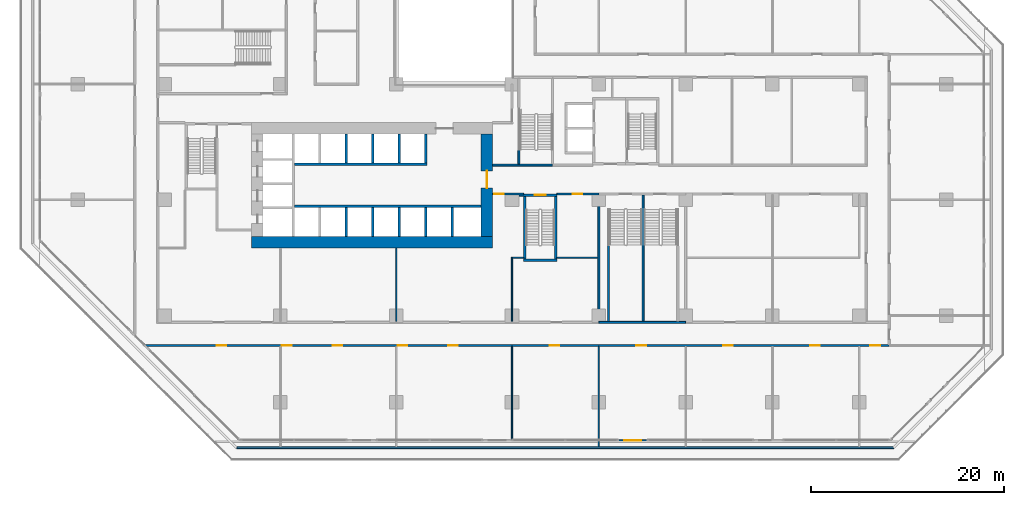
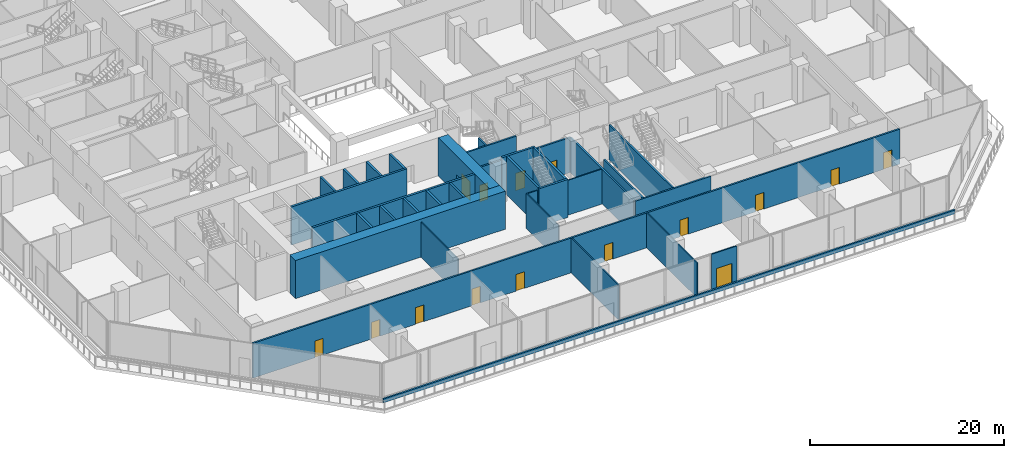
# One storey, part 15 of 31: 34 walls, 15 doors, 15 openings.
"""IFC4 building model written with IfcOpenShell, lengths in metres."""

from ifc_helpers import new_model, si_unit, direction, frame, frame_2d, origin, place, context, subcontext, project, spatial, rectangle, extrude, material, layer, layer_set, type_object, element, fill, save


model = new_model("IFC4")

# Units and contexts
model_context = context("Model", 3, precision=1e-05, world=origin(), true_north=direction((0.0, 1.0)))
body_context = subcontext(model_context, "Body", "Model", "MODEL_VIEW")
ifc_project = project(units=[si_unit("LENGTHUNIT", "METRE"), si_unit("AREAUNIT", "SQUARE_METRE"), si_unit("VOLUMEUNIT", "CUBIC_METRE"), si_unit("PLANEANGLEUNIT", "RADIAN"), si_unit("MASSUNIT", "GRAM", prefix="KILO")], contexts=[model_context])

# Site, building, storey
site_placement = place(None, origin())
site = spatial("IfcSite", under=ifc_project, at=site_placement, CompositionType="ELEMENT")
building_placement = place(site_placement, origin())
building = spatial("IfcBuilding", under=site, at=building_placement, Name="Chenar Terraces", CompositionType="ELEMENT")
storey_placement = place(building_placement, frame((0.0, 0.0, 7.199951171875)))
storey = spatial("IfcBuildingStorey", under=building, at=storey_placement, Name="L01", CompositionType="ELEMENT", Elevation=7.199951171875)

# Walls
ifc_material_1 = material(Name="Gypsum board on steel studs with mineral wool", Category="steel")
ifc_layer_1 = layer(ifc_material_1, 0.125)
ifc_layer_set_1 = layer_set([ifc_layer_1], Name="Gypsum board on steel studs with mineral wool")
wall_type_1 = type_object("IfcWallType", Name="Acoustic partition 125", PredefinedType="PARTITIONING", material=ifc_layer_set_1)
wall_1_placement = place(storey_placement, frame((24.0, -0.60009765625, 0.0), z_axis=(0.0, 0.0, 1.0), x_axis=(0.0, 1.0, 0.0)))
element("IfcWall", 1, at=wall_1_placement, inside=storey, type_object=wall_type_1, Name="Partition L01-068", PredefinedType="PARTITIONING", context=body_context, shape_type="SweptSolid", body=[
    extrude(rectangle(XDim=7.60009765625, YDim=0.125, at=frame_2d((3.800048828125, 0.0))), origin(), (0.0, 0.0, 1.0), 4.400146484375),
])
wall_2_placement = place(storey_placement, frame((36.0, -12.925048828125, 0.0), z_axis=(0.0, 0.0, 1.0), x_axis=(0.0, 1.0, 0.0)))
element("IfcWall", 2, at=wall_2_placement, inside=storey, type_object=wall_type_1, Name="Partition L01-079", PredefinedType="PARTITIONING", context=body_context, shape_type="SweptSolid", body=[
    extrude(rectangle(XDim=9.72509765625, YDim=0.125, at=frame_2d((4.862548828125, 0.0))), origin(), (0.0, 0.0, 1.0), 4.400146484375),
])
wall_3_placement = place(storey_placement, frame((36.0, -0.60009765625, 0.0), z_axis=(0.0, 0.0, 1.0), x_axis=(0.0, 1.0, 0.0)))
element("IfcWall", 3, at=wall_3_placement, inside=storey, type_object=wall_type_1, Name="Partition L01-080", PredefinedType="PARTITIONING", context=body_context, shape_type="SweptSolid", body=[
    extrude(rectangle(XDim=6.662109375, YDim=0.125, at=frame_2d((3.3310546875, 0.0))), origin(), (0.0, 0.0, 1.0), 4.400146484375),
])
wall_4_placement = place(storey_placement, frame((36.06201171875, 6.0, 0.0), z_axis=(0.0, 0.0, 1.0), x_axis=(1.0, 0.0, 0.0)))
element("IfcWall", 4, at=wall_4_placement, inside=storey, type_object=wall_type_1, Name="Partition L01-085", PredefinedType="PARTITIONING", context=body_context, shape_type="SweptSolid", body=[
    extrude(rectangle(XDim=1.137939453125, YDim=0.125, at=frame_2d((0.56884765625, 0.0))), origin(), (0.0, 0.0, 1.0), 4.400146484375),
])
wall_5_placement = place(storey_placement, frame((40.64990234375, 6.0, 0.0), z_axis=(0.0, 0.0, 1.0), x_axis=(1.0, 0.0, 0.0)))
element("IfcWall", 5, at=wall_5_placement, inside=storey, type_object=wall_type_1, Name="Partition L01-092", PredefinedType="PARTITIONING", context=body_context, shape_type="SweptSolid", body=[
    extrude(rectangle(XDim=4.25, YDim=0.125, at=frame_2d((2.125, 0.0))), origin(), (0.0, 0.0, 1.0), 4.400146484375),
])
wall_6_placement = place(storey_placement, frame((45.0, -13.60009765625, 0.0), z_axis=(0.0, 0.0, 1.0), x_axis=(0.0, 1.0, 0.0)))
element("IfcWall", 6, at=wall_6_placement, inside=storey, type_object=wall_type_1, Name="Partition L01-094", PredefinedType="PARTITIONING", context=body_context, shape_type="SweptSolid", body=[
    extrude(rectangle(XDim=10.400146484375, YDim=0.125, at=frame_2d((5.2001953125, 0.0))), origin(), (0.0, 0.0, 1.0), 4.400146484375),
])
ifc_material_2 = material(Name="Concrete C70/85", Category="concrete")
ifc_layer_2 = layer(ifc_material_2, 1.199951171875)
ifc_layer_set_2 = layer_set([ifc_layer_2], Name="Concrete C70/85")
wall_type_2 = type_object("IfcWallType", Name="Core wall 1200 Concrete C70/85", PredefinedType="SHEAR", material=ifc_layer_set_2)
wall_7_placement = place(storey_placement, frame((9.0, 7.60009765625, 0.0), z_axis=(0.0, 0.0, 1.0), x_axis=(1.0, 0.0, 0.0)))
element("IfcWall", 7, at=wall_7_placement, inside=storey, type_object=wall_type_2, Name="Core wall S L01", PredefinedType="SHEAR", context=body_context, shape_type="SweptSolid", body=[
    extrude(rectangle(XDim=25.0, YDim=1.199951171875, at=frame_2d((12.5, 0.0))), origin(), (0.0, 0.0, 1.0), 4.800048828125),
])

# Wall, opening, door
wall_8_placement = place(storey_placement, frame((33.39990234375, 8.199951171875, 0.0), z_axis=(0.0, 0.0, 1.0), x_axis=(0.0, 1.0, 0.0)))
wall_8 = element("IfcWall", 8, at=wall_8_placement, inside=storey, type_object=wall_type_2, Name="Core wall E L01", PredefinedType="SHEAR", context=body_context, shape_type="SweptSolid", body=[
    extrude(rectangle(XDim=10.60009765625, YDim=1.199951171875, at=frame_2d((5.300048828125, 0.0))), origin(), (0.0, 0.0, 1.0), 4.800048828125),
])
opening_1_placement = place(wall_8_placement, frame((5.0, 0.0, 0.0)))
opening_1 = element("IfcOpeningElement", 9, at=opening_1_placement, cuts=wall_8, Name="Opening DL01-C1", PredefinedType="OPENING", context=body_context, shape_type="SweptSolid", body=[
    extrude(rectangle(XDim=1.800048828125, YDim=2.39990234375, at=frame_2d((0.89990234375, 1.199951171875))), frame((0.0, 0.60986328125, 0.0), z_axis=(0.0, -1.0, 0.0), x_axis=(1.0, 0.0, 0.0)), (0.0, 0.0, 1.0), 1.219970703125),
])
ifc_material_3 = material(Name="Steel-framed fire-resisting door leaf", Category="steel")
door_type_1 = type_object("IfcDoorType", Name="Core entrance double fire door FD60 1800 x 2400", OperationType="DOUBLE_DOOR_SINGLE_SWING", PredefinedType="DOOR", material=ifc_material_3)
door_1_placement = place(opening_1_placement, origin())
door_1 = element("IfcDoor", 10, at=door_1_placement, inside=storey, type_object=door_type_1, Name="Core door DL01-C1", OperationType="DOUBLE_DOOR_SINGLE_SWING", OverallHeight=2.39990234375, OverallWidth=1.800048828125, PredefinedType="DOOR", context=body_context, shape_type="SweptSolid", body=[
    extrude(rectangle(XDim=1.800048828125, YDim=2.39990234375, at=frame_2d((0.89990234375, 1.199951171875))), frame((0.0, 0.02490234375, 0.0), z_axis=(0.0, -1.0, 0.0), x_axis=(1.0, 0.0, 0.0)), (0.0, 0.0, 1.0), 0.050048828125),
])
fill(opening_1, door_1)

# Walls
ifc_material_4 = material(Name="Concrete C70/85", Category="concrete")
ifc_layer_3 = layer(ifc_material_4, 0.25)
ifc_layer_set_3 = layer_set([ifc_layer_3], Name="Concrete C70/85")
wall_type_3 = type_object("IfcWallType", Name="Core wall 250 Concrete C70/85", PredefinedType="SHEAR", material=ifc_layer_set_3)
wall_9_placement = place(storey_placement, frame((13.449951171875, 11.324951171875, 0.0), z_axis=(0.0, 0.0, 1.0), x_axis=(1.0, 0.0, 0.0)))
element("IfcWall", 11, at=wall_9_placement, inside=storey, type_object=wall_type_3, Name="Core wall SF L01", PredefinedType="SHEAR", context=body_context, shape_type="SweptSolid", body=[
    extrude(rectangle(XDim=19.35009765625, YDim=0.25, at=frame_2d((9.675048828125, 0.0))), origin(), (0.0, 0.0, 1.0), 4.800048828125),
])
wall_10_placement = place(storey_placement, frame((13.449951171875, 15.675048828125, 0.0), z_axis=(0.0, 0.0, 1.0), x_axis=(1.0, 0.0, 0.0)))
element("IfcWall", 12, at=wall_10_placement, inside=storey, type_object=wall_type_3, Name="Core wall NF L01", PredefinedType="SHEAR", context=body_context, shape_type="SweptSolid", body=[
    extrude(rectangle(XDim=13.75, YDim=0.25, at=frame_2d((6.875, 0.0))), origin(), (0.0, 0.0, 1.0), 4.800048828125),
])
for number, where, z_axis, x_axis, name in (
    (13, (18.824951171875, 8.199951171875, 0.0), (0.0, 0.0, 1.0), (0.0, 1.0, 0.0), "Core wall SS1 L01"),
    (14, (21.574951171875, 8.199951171875, 0.0), (0.0, 0.0, 1.0), (0.0, 1.0, 0.0), "Core wall SS2 L01"),
    (15, (24.324951171875, 8.199951171875, 0.0), (0.0, 0.0, 1.0), (0.0, 1.0, 0.0), "Core wall SS3 L01"),
    (16, (27.074951171875, 8.199951171875, 0.0), (0.0, 0.0, 1.0), (0.0, 1.0, 0.0), "Core wall SS4 L01"),
    (17, (29.824951171875, 8.199951171875, 0.0), (0.0, 0.0, 1.0), (0.0, 1.0, 0.0), "Core wall SS5 L01"),
    (18, (18.824951171875, 15.800048828125, 0.0), (0.0, 0.0, 1.0), (0.0, 1.0, 0.0), "Core wall NS1 L01"),
    (19, (21.574951171875, 15.800048828125, 0.0), (0.0, 0.0, 1.0), (0.0, 1.0, 0.0), "Core wall NS2 L01"),
    (20, (24.324951171875, 15.800048828125, 0.0), (0.0, 0.0, 1.0), (0.0, 1.0, 0.0), "Core wall NS3 L01"),
    (21, (27.074951171875, 15.800048828125, 0.0), (0.0, 0.0, 1.0), (0.0, 1.0, 0.0), "Core wall NE L01"),
):
    element("IfcWall", number, at=place(storey_placement, frame(where, z_axis=z_axis, x_axis=x_axis)), inside=storey, type_object=wall_type_3, Name=name, PredefinedType="SHEAR", context=body_context, shape_type="SweptSolid", body=[
        extrude(rectangle(XDim=3.0, YDim=0.25, at=frame_2d((1.5, 0.0))), origin(), (0.0, 0.0, 1.0), 4.800048828125),
    ])
wall_11_placement = place(storey_placement, frame((37.199951171875, 5.72509765625, 0.0), z_axis=(0.0, 0.0, 1.0), x_axis=(1.0, 0.0, 0.0)))
element("IfcWall", 22, at=wall_11_placement, inside=storey, type_object=wall_type_3, Name="Core wall ST2_S L01", PredefinedType="SHEAR", context=body_context, shape_type="SweptSolid", body=[
    extrude(rectangle(XDim=3.449951171875, YDim=0.25, at=frame_2d((1.72509765625, 0.0))), origin(), (0.0, 0.0, 1.0), 4.800048828125),
])

# Wall, opening, door
wall_12_placement = place(storey_placement, frame((36.699951171875, 12.47509765625, 0.0), z_axis=(0.0, 0.0, 1.0), x_axis=(1.0, 0.0, 0.0)))
wall_12 = element("IfcWall", 23, at=wall_12_placement, inside=storey, type_object=wall_type_3, Name="Core wall ST2_N L01", PredefinedType="SHEAR", context=body_context, shape_type="SweptSolid", body=[
    extrude(rectangle(XDim=3.949951171875, YDim=0.25, at=frame_2d((1.97509765625, 0.0))), origin(), (0.0, 0.0, 1.0), 4.800048828125),
])
opening_2_placement = place(wall_12_placement, frame((1.675048828125, 0.0, 0.0)))
opening_2 = element("IfcOpeningElement", 24, at=opening_2_placement, cuts=wall_12, Name="Opening DL01-C7", PredefinedType="OPENING", context=body_context, shape_type="SweptSolid", body=[
    extrude(rectangle(XDim=1.10009765625, YDim=2.199951171875, at=frame_2d((0.550048828125, 1.10009765625))), frame((0.0, 0.135009765625, 0.0), z_axis=(0.0, -1.0, 0.0), x_axis=(1.0, 0.0, 0.0)), (0.0, 0.0, 1.0), 0.27001953125),
])
ifc_material_5 = material(Name="Steel-framed fire-resisting door leaf", Category="steel")
door_type_2 = type_object("IfcDoorType", Name="Stair fire door FD60 1100 x 2200", OperationType="SINGLE_SWING_LEFT", PredefinedType="DOOR", material=ifc_material_5)
door_2_placement = place(opening_2_placement, frame((1.10009765625, 0.0, 0.0), z_axis=(0.0, 0.0, 1.0), x_axis=(-1.0, 0.0, 0.0)))
door_2 = element("IfcDoor", 25, at=door_2_placement, inside=storey, type_object=door_type_2, Name="Stair door DL01-C7", OperationType="SINGLE_SWING_RIGHT", OverallHeight=2.199951171875, OverallWidth=1.10009765625, PredefinedType="DOOR", context=body_context, shape_type="SweptSolid", body=[
    extrude(rectangle(XDim=1.10009765625, YDim=2.199951171875, at=frame_2d((0.550048828125, 1.10009765625))), frame((0.0, 0.02490234375, 0.0), z_axis=(0.0, -1.0, 0.0), x_axis=(1.0, 0.0, 0.0)), (0.0, 0.0, 1.0), 0.050048828125),
])
fill(opening_2, door_2)

# Walls
for number, where, z_axis, x_axis, name in (
    (26, (37.324951171875, 5.85009765625, 0.0), (0.0, 0.0, 1.0), (0.0, 1.0, 0.0), "Core wall ST2_W L01"),
    (27, (40.52490234375, 5.85009765625, 0.0), (0.0, 0.0, 1.0), (0.0, 1.0, 0.0), "Core wall ST2_E L01"),
):
    element("IfcWall", number, at=place(storey_placement, frame(where, z_axis=z_axis, x_axis=x_axis)), inside=storey, type_object=wall_type_3, Name=name, PredefinedType="SHEAR", context=body_context, shape_type="SweptSolid", body=[
        extrude(rectangle(XDim=6.5, YDim=0.25, at=frame_2d((3.25, 0.0))), origin(), (0.0, 0.0, 1.0), 4.800048828125),
    ])

# Wall, openings, doors
ifc_material_6 = material(Name="Gypsum board on steel studs with fire boards", Category="steel")
ifc_layer_4 = layer(ifc_material_6, 0.199951171875)
ifc_layer_set_4 = layer_set([ifc_layer_4], Name="Gypsum board on steel studs with fire boards")
wall_type_4 = type_object("IfcWallType", Name="Corridor wall 200", PredefinedType="PARTITIONING", material=ifc_layer_set_4)
wall_13_placement = place(storey_placement, frame((-1.952880859375, -3.10009765625, 0.0), z_axis=(0.0, 0.0, 1.0), x_axis=(1.0, 0.0, 0.0)))
wall_13 = element("IfcWall", 28, at=wall_13_placement, inside=storey, type_object=wall_type_4, Name="Partition L01-011", PredefinedType="PARTITIONING", context=body_context, shape_type="SweptSolid", body=[
    extrude(rectangle(XDim=77.052978515625, YDim=0.199951171875, at=frame_2d((38.5263671875, 0.0))), origin(), (0.0, 0.0, 1.0), 4.400146484375),
])
opening_3_placement = place(wall_13_placement, frame((7.35302734375, 0.0, 0.0)))
opening_3 = element("IfcOpeningElement", 29, at=opening_3_placement, cuts=wall_13, Name="Opening DL01-61", PredefinedType="OPENING", context=body_context, shape_type="SweptSolid", body=[
    extrude(rectangle(XDim=1.0, YDim=2.10009765625, at=frame_2d((0.5, 1.050048828125))), frame((0.0, 0.10986328125, 0.0), z_axis=(0.0, -1.0, 0.0), x_axis=(1.0, 0.0, 0.0)), (0.0, 0.0, 1.0), 0.219970703125),
])
opening_4_placement = place(wall_13_placement, frame((19.35302734375, 0.0, 0.0)))
opening_4 = element("IfcOpeningElement", 30, at=opening_4_placement, cuts=wall_13, Name="Opening DL01-62", PredefinedType="OPENING", context=body_context, shape_type="SweptSolid", body=[
    extrude(rectangle(XDim=1.0, YDim=2.10009765625, at=frame_2d((0.5, 1.050048828125))), frame((0.0, 0.10986328125, 0.0), z_axis=(0.0, -1.0, 0.0), x_axis=(1.0, 0.0, 0.0)), (0.0, 0.0, 1.0), 0.219970703125),
])
opening_5_placement = place(wall_13_placement, frame((14.10302734375, 0.0, 0.0)))
opening_5 = element("IfcOpeningElement", 31, at=opening_5_placement, cuts=wall_13, Name="Opening DL01-63", PredefinedType="OPENING", context=body_context, shape_type="SweptSolid", body=[
    extrude(rectangle(XDim=1.0, YDim=2.10009765625, at=frame_2d((0.5, 1.050048828125))), frame((0.0, 0.10986328125, 0.0), z_axis=(0.0, -1.0, 0.0), x_axis=(1.0, 0.0, 0.0)), (0.0, 0.0, 1.0), 0.219970703125),
])
opening_6_placement = place(wall_13_placement, frame((31.35302734375, 0.0, 0.0)))
opening_6 = element("IfcOpeningElement", 32, at=opening_6_placement, cuts=wall_13, Name="Opening DL01-64", PredefinedType="OPENING", context=body_context, shape_type="SweptSolid", body=[
    extrude(rectangle(XDim=1.0, YDim=2.10009765625, at=frame_2d((0.5, 1.050048828125))), frame((0.0, 0.10986328125, 0.0), z_axis=(0.0, -1.0, 0.0), x_axis=(1.0, 0.0, 0.0)), (0.0, 0.0, 1.0), 0.219970703125),
])
opening_7_placement = place(wall_13_placement, frame((26.10302734375, 0.0, 0.0)))
opening_7 = element("IfcOpeningElement", 33, at=opening_7_placement, cuts=wall_13, Name="Opening DL01-65", PredefinedType="OPENING", context=body_context, shape_type="SweptSolid", body=[
    extrude(rectangle(XDim=1.0, YDim=2.10009765625, at=frame_2d((0.5, 1.050048828125))), frame((0.0, 0.10986328125, 0.0), z_axis=(0.0, -1.0, 0.0), x_axis=(1.0, 0.0, 0.0)), (0.0, 0.0, 1.0), 0.219970703125),
])
opening_8_placement = place(wall_13_placement, frame((41.85302734375, 0.0, 0.0)))
opening_8 = element("IfcOpeningElement", 34, at=opening_8_placement, cuts=wall_13, Name="Opening DL01-66", PredefinedType="OPENING", context=body_context, shape_type="SweptSolid", body=[
    extrude(rectangle(XDim=1.0, YDim=2.10009765625, at=frame_2d((0.5, 1.050048828125))), frame((0.0, 0.10986328125, 0.0), z_axis=(0.0, -1.0, 0.0), x_axis=(1.0, 0.0, 0.0)), (0.0, 0.0, 1.0), 0.219970703125),
])
opening_9_placement = place(wall_13_placement, frame((50.85302734375, 0.0, 0.0)))
opening_9 = element("IfcOpeningElement", 35, at=opening_9_placement, cuts=wall_13, Name="Opening DL01-67", PredefinedType="OPENING", context=body_context, shape_type="SweptSolid", body=[
    extrude(rectangle(XDim=1.0, YDim=2.10009765625, at=frame_2d((0.5, 1.050048828125))), frame((0.0, 0.10986328125, 0.0), z_axis=(0.0, -1.0, 0.0), x_axis=(1.0, 0.0, 0.0)), (0.0, 0.0, 1.0), 0.219970703125),
])
opening_10_placement = place(wall_13_placement, frame((59.85302734375, 0.0, 0.0)))
opening_10 = element("IfcOpeningElement", 36, at=opening_10_placement, cuts=wall_13, Name="Opening DL01-68", PredefinedType="OPENING", context=body_context, shape_type="SweptSolid", body=[
    extrude(rectangle(XDim=1.0, YDim=2.10009765625, at=frame_2d((0.5, 1.050048828125))), frame((0.0, 0.10986328125, 0.0), z_axis=(0.0, -1.0, 0.0), x_axis=(1.0, 0.0, 0.0)), (0.0, 0.0, 1.0), 0.219970703125),
])
opening_11_placement = place(wall_13_placement, frame((68.85302734375, 0.0, 0.0)))
opening_11 = element("IfcOpeningElement", 37, at=opening_11_placement, cuts=wall_13, Name="Opening DL01-69", PredefinedType="OPENING", context=body_context, shape_type="SweptSolid", body=[
    extrude(rectangle(XDim=1.0, YDim=2.10009765625, at=frame_2d((0.5, 1.050048828125))), frame((0.0, 0.10986328125, 0.0), z_axis=(0.0, -1.0, 0.0), x_axis=(1.0, 0.0, 0.0)), (0.0, 0.0, 1.0), 0.219970703125),
])
opening_12_placement = place(wall_13_placement, frame((75.10302734375, 0.0, 0.0)))
opening_12 = element("IfcOpeningElement", 38, at=opening_12_placement, cuts=wall_13, Name="Opening DL01-70", PredefinedType="OPENING", context=body_context, shape_type="SweptSolid", body=[
    extrude(rectangle(XDim=1.0, YDim=2.10009765625, at=frame_2d((0.5, 1.050048828125))), frame((0.0, 0.10986328125, 0.0), z_axis=(0.0, -1.0, 0.0), x_axis=(1.0, 0.0, 0.0)), (0.0, 0.0, 1.0), 0.219970703125),
])
ifc_material_7 = material(Name="Steel-framed fire-resisting door leaf", Category="steel")
door_type_3 = type_object("IfcDoorType", Name="Fire door FD60 1000 x 2100", OperationType="SINGLE_SWING_LEFT", PredefinedType="DOOR", material=ifc_material_7)
door_3_placement = place(opening_3_placement, frame((1.0, 0.0, 0.0), z_axis=(0.0, 0.0, 1.0), x_axis=(-1.0, 0.0, 0.0)))
door_3 = element("IfcDoor", 39, at=door_3_placement, inside=storey, type_object=door_type_3, Name="Door DL01-61", OperationType="SINGLE_SWING_LEFT", OverallHeight=2.10009765625, OverallWidth=1.0, PredefinedType="DOOR", context=body_context, shape_type="SweptSolid", body=[
    extrude(rectangle(XDim=1.0, YDim=2.10009765625, at=frame_2d((0.5, 1.050048828125))), frame((0.0, 0.02490234375, 0.0), z_axis=(0.0, -1.0, 0.0), x_axis=(1.0, 0.0, 0.0)), (0.0, 0.0, 1.0), 0.050048828125),
])
fill(opening_3, door_3)
door_4_placement = place(opening_4_placement, origin())
door_4 = element("IfcDoor", 40, at=door_4_placement, inside=storey, type_object=door_type_3, Name="Door DL01-62", OperationType="SINGLE_SWING_RIGHT", OverallHeight=2.10009765625, OverallWidth=1.0, PredefinedType="DOOR", context=body_context, shape_type="SweptSolid", body=[
    extrude(rectangle(XDim=1.0, YDim=2.10009765625, at=frame_2d((0.5, 1.050048828125))), frame((0.0, 0.02490234375, 0.0), z_axis=(0.0, -1.0, 0.0), x_axis=(1.0, 0.0, 0.0)), (0.0, 0.0, 1.0), 0.050048828125),
])
fill(opening_4, door_4)
door_5_placement = place(opening_5_placement, origin())
door_5 = element("IfcDoor", 41, at=door_5_placement, inside=storey, type_object=door_type_3, Name="Door DL01-63", OperationType="SINGLE_SWING_LEFT", OverallHeight=2.10009765625, OverallWidth=1.0, PredefinedType="DOOR", context=body_context, shape_type="SweptSolid", body=[
    extrude(rectangle(XDim=1.0, YDim=2.10009765625, at=frame_2d((0.5, 1.050048828125))), frame((0.0, 0.02490234375, 0.0), z_axis=(0.0, -1.0, 0.0), x_axis=(1.0, 0.0, 0.0)), (0.0, 0.0, 1.0), 0.050048828125),
])
fill(opening_5, door_5)
door_6_placement = place(opening_6_placement, origin())
door_6 = element("IfcDoor", 42, at=door_6_placement, inside=storey, type_object=door_type_3, Name="Door DL01-64", OperationType="SINGLE_SWING_RIGHT", OverallHeight=2.10009765625, OverallWidth=1.0, PredefinedType="DOOR", context=body_context, shape_type="SweptSolid", body=[
    extrude(rectangle(XDim=1.0, YDim=2.10009765625, at=frame_2d((0.5, 1.050048828125))), frame((0.0, 0.02490234375, 0.0), z_axis=(0.0, -1.0, 0.0), x_axis=(1.0, 0.0, 0.0)), (0.0, 0.0, 1.0), 0.050048828125),
])
fill(opening_6, door_6)
door_7_placement = place(opening_7_placement, origin())
door_7 = element("IfcDoor", 43, at=door_7_placement, inside=storey, type_object=door_type_3, Name="Door DL01-65", OperationType="SINGLE_SWING_LEFT", OverallHeight=2.10009765625, OverallWidth=1.0, PredefinedType="DOOR", context=body_context, shape_type="SweptSolid", body=[
    extrude(rectangle(XDim=1.0, YDim=2.10009765625, at=frame_2d((0.5, 1.050048828125))), frame((0.0, 0.02490234375, 0.0), z_axis=(0.0, -1.0, 0.0), x_axis=(1.0, 0.0, 0.0)), (0.0, 0.0, 1.0), 0.050048828125),
])
fill(opening_7, door_7)
door_8_placement = place(opening_8_placement, frame((1.0, 0.0, 0.0), z_axis=(0.0, 0.0, 1.0), x_axis=(-1.0, 0.0, 0.0)))
door_8 = element("IfcDoor", 44, at=door_8_placement, inside=storey, type_object=door_type_3, Name="Door DL01-66", OperationType="SINGLE_SWING_RIGHT", OverallHeight=2.10009765625, OverallWidth=1.0, PredefinedType="DOOR", context=body_context, shape_type="SweptSolid", body=[
    extrude(rectangle(XDim=1.0, YDim=2.10009765625, at=frame_2d((0.5, 1.050048828125))), frame((0.0, 0.02490234375, 0.0), z_axis=(0.0, -1.0, 0.0), x_axis=(1.0, 0.0, 0.0)), (0.0, 0.0, 1.0), 0.050048828125),
])
fill(opening_8, door_8)
door_9_placement = place(opening_9_placement, frame((1.0, 0.0, 0.0), z_axis=(0.0, 0.0, 1.0), x_axis=(-1.0, 0.0, 0.0)))
door_9 = element("IfcDoor", 45, at=door_9_placement, inside=storey, type_object=door_type_3, Name="Door DL01-67", OperationType="SINGLE_SWING_RIGHT", OverallHeight=2.10009765625, OverallWidth=1.0, PredefinedType="DOOR", context=body_context, shape_type="SweptSolid", body=[
    extrude(rectangle(XDim=1.0, YDim=2.10009765625, at=frame_2d((0.5, 1.050048828125))), frame((0.0, 0.02490234375, 0.0), z_axis=(0.0, -1.0, 0.0), x_axis=(1.0, 0.0, 0.0)), (0.0, 0.0, 1.0), 0.050048828125),
])
fill(opening_9, door_9)
door_10_placement = place(opening_10_placement, frame((1.0, 0.0, 0.0), z_axis=(0.0, 0.0, 1.0), x_axis=(-1.0, 0.0, 0.0)))
door_10 = element("IfcDoor", 46, at=door_10_placement, inside=storey, type_object=door_type_3, Name="Door DL01-68", OperationType="SINGLE_SWING_RIGHT", OverallHeight=2.10009765625, OverallWidth=1.0, PredefinedType="DOOR", context=body_context, shape_type="SweptSolid", body=[
    extrude(rectangle(XDim=1.0, YDim=2.10009765625, at=frame_2d((0.5, 1.050048828125))), frame((0.0, 0.02490234375, 0.0), z_axis=(0.0, -1.0, 0.0), x_axis=(1.0, 0.0, 0.0)), (0.0, 0.0, 1.0), 0.050048828125),
])
fill(opening_10, door_10)
door_11_placement = place(opening_11_placement, frame((1.0, 0.0, 0.0), z_axis=(0.0, 0.0, 1.0), x_axis=(-1.0, 0.0, 0.0)))
door_11 = element("IfcDoor", 47, at=door_11_placement, inside=storey, type_object=door_type_3, Name="Door DL01-69", OperationType="SINGLE_SWING_RIGHT", OverallHeight=2.10009765625, OverallWidth=1.0, PredefinedType="DOOR", context=body_context, shape_type="SweptSolid", body=[
    extrude(rectangle(XDim=1.0, YDim=2.10009765625, at=frame_2d((0.5, 1.050048828125))), frame((0.0, 0.02490234375, 0.0), z_axis=(0.0, -1.0, 0.0), x_axis=(1.0, 0.0, 0.0)), (0.0, 0.0, 1.0), 0.050048828125),
])
fill(opening_11, door_11)
door_12_placement = place(opening_12_placement, frame((1.0, 0.0, 0.0), z_axis=(0.0, 0.0, 1.0), x_axis=(-1.0, 0.0, 0.0)))
door_12 = element("IfcDoor", 48, at=door_12_placement, inside=storey, type_object=door_type_3, Name="Door DL01-70", OperationType="SINGLE_SWING_RIGHT", OverallHeight=2.10009765625, OverallWidth=1.0, PredefinedType="DOOR", context=body_context, shape_type="SweptSolid", body=[
    extrude(rectangle(XDim=1.0, YDim=2.10009765625, at=frame_2d((0.5, 1.050048828125))), frame((0.0, 0.02490234375, 0.0), z_axis=(0.0, -1.0, 0.0), x_axis=(1.0, 0.0, 0.0)), (0.0, 0.0, 1.0), 0.050048828125),
])
fill(opening_12, door_12)

# Wall, opening, door
wall_14_placement = place(storey_placement, frame((34.0, 12.60009765625, 0.0), z_axis=(0.0, 0.0, 1.0), x_axis=(1.0, 0.0, 0.0)))
wall_14 = element("IfcWall", 49, at=wall_14_placement, inside=storey, type_object=wall_type_4, Name="Partition L01-076", PredefinedType="PARTITIONING", context=body_context, shape_type="SweptSolid", body=[
    extrude(rectangle(XDim=3.199951171875, YDim=0.199951171875, at=frame_2d((1.60009765625, 0.0))), origin(), (0.0, 0.0, 1.0), 4.400146484375),
])
opening_13_placement = place(wall_14_placement, frame((0.14990234375, 0.0, 0.0)))
opening_13 = element("IfcOpeningElement", 50, at=opening_13_placement, cuts=wall_14, Name="Opening DL01-48", PredefinedType="OPENING", context=body_context, shape_type="SweptSolid", body=[
    extrude(rectangle(XDim=1.0, YDim=2.10009765625, at=frame_2d((0.5, 1.050048828125))), frame((0.0, 0.10986328125, 0.0), z_axis=(0.0, -1.0, 0.0), x_axis=(1.0, 0.0, 0.0)), (0.0, 0.0, 1.0), 0.219970703125),
])
door_13_placement = place(opening_13_placement, frame((1.0, 0.0, 0.0), z_axis=(0.0, 0.0, 1.0), x_axis=(-1.0, 0.0, 0.0)))
door_13 = element("IfcDoor", 51, at=door_13_placement, inside=storey, type_object=door_type_3, Name="Door DL01-48", OperationType="SINGLE_SWING_LEFT", OverallHeight=2.10009765625, OverallWidth=1.0, PredefinedType="DOOR", context=body_context, shape_type="SweptSolid", body=[
    extrude(rectangle(XDim=1.0, YDim=2.10009765625, at=frame_2d((0.5, 1.050048828125))), frame((0.0, 0.02490234375, 0.0), z_axis=(0.0, -1.0, 0.0), x_axis=(1.0, 0.0, 0.0)), (0.0, 0.0, 1.0), 0.050048828125),
])
fill(opening_13, door_13)

wall_15_placement = place(storey_placement, frame((40.64990234375, 12.60009765625, 0.0), z_axis=(0.0, 0.0, 1.0), x_axis=(1.0, 0.0, 0.0)))
wall_15 = element("IfcWall", 52, at=wall_15_placement, inside=storey, type_object=wall_type_4, Name="Partition L01-093", PredefinedType="PARTITIONING", context=body_context, shape_type="SweptSolid", body=[
    extrude(rectangle(XDim=4.35009765625, YDim=0.199951171875, at=frame_2d((2.175048828125, 0.0))), origin(), (0.0, 0.0, 1.0), 4.400146484375),
])
opening_14_placement = place(wall_15_placement, frame((1.64990234375, 0.0, 0.0)))
opening_14 = element("IfcOpeningElement", 53, at=opening_14_placement, cuts=wall_15, Name="Opening DL01-1", PredefinedType="OPENING", context=body_context, shape_type="SweptSolid", body=[
    extrude(rectangle(XDim=1.0, YDim=2.10009765625, at=frame_2d((0.5, 1.050048828125))), frame((0.0, 0.10986328125, 0.0), z_axis=(0.0, -1.0, 0.0), x_axis=(1.0, 0.0, 0.0)), (0.0, 0.0, 1.0), 0.219970703125),
])
door_14_placement = place(opening_14_placement, frame((1.0, 0.0, 0.0), z_axis=(0.0, 0.0, 1.0), x_axis=(-1.0, 0.0, 0.0)))
door_14 = element("IfcDoor", 54, at=door_14_placement, inside=storey, type_object=door_type_3, Name="Door DL01-1", OperationType="SINGLE_SWING_LEFT", OverallHeight=2.10009765625, OverallWidth=1.0, PredefinedType="DOOR", context=body_context, shape_type="SweptSolid", body=[
    extrude(rectangle(XDim=1.0, YDim=2.10009765625, at=frame_2d((0.5, 1.050048828125))), frame((0.0, 0.02490234375, 0.0), z_axis=(0.0, -1.0, 0.0), x_axis=(1.0, 0.0, 0.0)), (0.0, 0.0, 1.0), 0.050048828125),
])
fill(opening_14, door_14)

ifc_material_8 = material(Name="Aluminium framed glazing", Category="aluminium")
ifc_layer_5 = layer(ifc_material_8, 0.14990234375)
ifc_layer_set_5 = layer_set([ifc_layer_5], Name="Aluminium framed glazing")
wall_type_5 = type_object("IfcWallType", Name="Podium glazed wall 150", PredefinedType="SOLIDWALL", material=ifc_layer_set_5)
wall_16_placement = place(storey_placement, frame((47.022705078125, -12.925048828125, 0.0), z_axis=(0.0, 0.0, 1.0), x_axis=(1.0, 0.0, 0.0)))
wall_16 = element("IfcWall", 55, at=wall_16_placement, inside=storey, type_object=wall_type_5, Name="Podium glazed wall", PredefinedType="SOLIDWALL", context=body_context, shape_type="SweptSolid", body=[
    extrude(rectangle(XDim=3.0, YDim=0.14990234375, at=frame_2d((1.5, 0.0))), origin(), (0.0, 0.0, 1.0), 4.400146484375),
])
opening_15_placement = place(wall_16_placement, frame((0.60009765625, 0.0, 0.0)))
opening_15 = element("IfcOpeningElement", 56, at=opening_15_placement, cuts=wall_16, Name="Opening DL01-T3", PredefinedType="OPENING", context=body_context, shape_type="SweptSolid", body=[
    extrude(rectangle(XDim=1.800048828125, YDim=2.39990234375, at=frame_2d((0.89990234375, 1.199951171875))), frame((0.0, 0.0849609375, 0.0), z_axis=(0.0, -1.0, 0.0), x_axis=(1.0, 0.0, 0.0)), (0.0, 0.0, 1.0), 0.169921875),
])
ifc_material_9 = material(Name="Low emissivity double glazing, aluminium frame", Category="aluminium")
door_type_4 = type_object("IfcDoorType", Name="Terrace glazed double door 1800 x 2400", OperationType="DOUBLE_DOOR_SINGLE_SWING", PredefinedType="DOOR", material=ifc_material_9)
door_15_placement = place(opening_15_placement, frame((1.800048828125, 0.0, 0.0), z_axis=(0.0, 0.0, 1.0), x_axis=(-1.0, 0.0, 0.0)))
door_15 = element("IfcDoor", 57, at=door_15_placement, inside=storey, type_object=door_type_4, Name="Terrace glazed door", OperationType="DOUBLE_DOOR_SINGLE_SWING", OverallHeight=2.39990234375, OverallWidth=1.800048828125, PredefinedType="DOOR", context=body_context, shape_type="SweptSolid", body=[
    extrude(rectangle(XDim=1.800048828125, YDim=2.39990234375, at=frame_2d((0.89990234375, 1.199951171875))), frame((0.0, 0.02490234375, 0.0), z_axis=(0.0, -1.0, 0.0), x_axis=(1.0, 0.0, 0.0)), (0.0, 0.0, 1.0), 0.050048828125),
])
fill(opening_15, door_15)

# Walls
ifc_material_10 = material(Name="Reinforced concrete C40/50", Category="concrete")
ifc_layer_6 = layer(ifc_material_10, 0.199951171875)
ifc_layer_set_6 = layer_set([ifc_layer_6], Name="Reinforced concrete C40/50")
wall_type_6 = type_object("IfcWallType", Name="Stair enclosure wall 200 concrete", PredefinedType="SOLIDWALL", material=ifc_layer_set_6)
wall_17_placement = place(storey_placement, frame((34.0, 15.60009765625, 0.0), z_axis=(0.0, 0.0, 1.0), x_axis=(1.0, 0.0, 0.0)))
element("IfcWall", 58, at=wall_17_placement, inside=storey, type_object=wall_type_6, Name="Stair enclosure wall L01-077", PredefinedType="SOLIDWALL", context=body_context, shape_type="SweptSolid", body=[
    extrude(rectangle(XDim=6.199951171875, YDim=0.199951171875, at=frame_2d((3.10009765625, 0.0))), origin(), (0.0, 0.0, 1.0), 4.400146484375),
])
wall_18_placement = place(storey_placement, frame((45.0, -0.699951171875, 0.0), z_axis=(0.0, 0.0, 1.0), x_axis=(1.0, 0.0, 0.0)))
element("IfcWall", 59, at=wall_18_placement, inside=storey, type_object=wall_type_6, Name="Stair enclosure wall L01-095", PredefinedType="SOLIDWALL", context=body_context, shape_type="SweptSolid", body=[
    extrude(rectangle(XDim=9.0, YDim=0.199951171875, at=frame_2d((4.5, 0.0))), origin(), (0.0, 0.0, 1.0), 4.400146484375),
])
for number, where, z_axis, x_axis, name in (
    (60, (45.0, -0.60009765625, 0.0), (0.0, 0.0, 1.0), (0.0, 1.0, 0.0), "Stair enclosure wall L01-096"),
    (61, (49.60009765625, -0.60009765625, 0.0), (0.0, 0.0, 1.0), (0.0, 1.0, 0.0), "Stair enclosure wall L01-101"),
):
    element("IfcWall", number, at=place(storey_placement, frame(where, z_axis=z_axis, x_axis=x_axis)), inside=storey, type_object=wall_type_6, Name=name, PredefinedType="SOLIDWALL", context=body_context, shape_type="SweptSolid", body=[
        extrude(rectangle(XDim=13.10009765625, YDim=0.199951171875, at=frame_2d((6.550048828125, 0.0))), origin(), (0.0, 0.0, 1.0), 4.400146484375),
    ])
wall_19_placement = place(storey_placement, frame((36.715087890625, 15.699951171875, 0.0), z_axis=(0.0, 0.0, 1.0), x_axis=(0.0, 1.0, 0.0)))
element("IfcWall", 62, at=wall_19_placement, inside=storey, type_object=wall_type_6, Name="Stair enclosure wall L01-PS1-011", PredefinedType="SOLIDWALL", context=body_context, shape_type="SweptSolid", body=[
    extrude(rectangle(XDim=1.5, YDim=0.199951171875, at=frame_2d((0.75, 0.0))), origin(), (0.0, 0.0, 1.0), 4.400146484375),
])
wall_20_placement = place(storey_placement, frame((46.0, -0.60009765625, 0.0), z_axis=(0.0, 0.0, 1.0), x_axis=(0.0, 1.0, 0.0)))
element("IfcWall", 63, at=wall_20_placement, inside=storey, type_object=wall_type_6, Name="Stair enclosure wall L01-PS6-035", PredefinedType="SOLIDWALL", context=body_context, shape_type="SweptSolid", body=[
    extrude(rectangle(XDim=7.945068359375, YDim=0.199951171875, at=frame_2d((3.97265625, 0.0))), origin(), (0.0, 0.0, 1.0), 4.400146484375),
])
ifc_material_11 = material(Name="Terracotta cladding on insulated backing", Category="masonry")
ifc_layer_7 = layer(ifc_material_11, 0.199951171875)
ifc_layer_set_7 = layer_set([ifc_layer_7], Name="Terracotta cladding on insulated backing")
wall_type_7 = type_object("IfcWallType", Name="Terrace parapet upstand 200", PredefinedType="PARAPET", material=ifc_layer_set_7)
wall_21_placement = place(storey_placement, frame((75.553466796875, -13.699951171875, 0.0), z_axis=(0.0, 0.0, 1.0), x_axis=(-1.0, 0.0, 0.0)))
element("IfcWall", 64, at=wall_21_placement, inside=storey, type_object=wall_type_7, Name="Terrace parapet", PredefinedType="PARAPET", context=body_context, shape_type="SweptSolid", body=[
    extrude(rectangle(XDim=68.10693359375, YDim=0.199951171875, at=frame_2d((34.053466796875, 0.0))), origin(), (0.0, 0.0, 1.0), 0.5),
])

save(model, "model.ifc")
